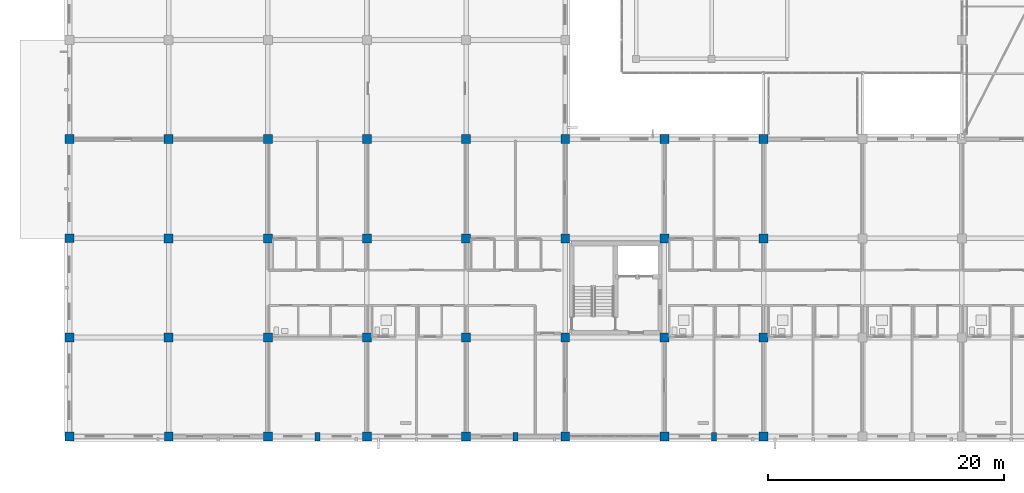
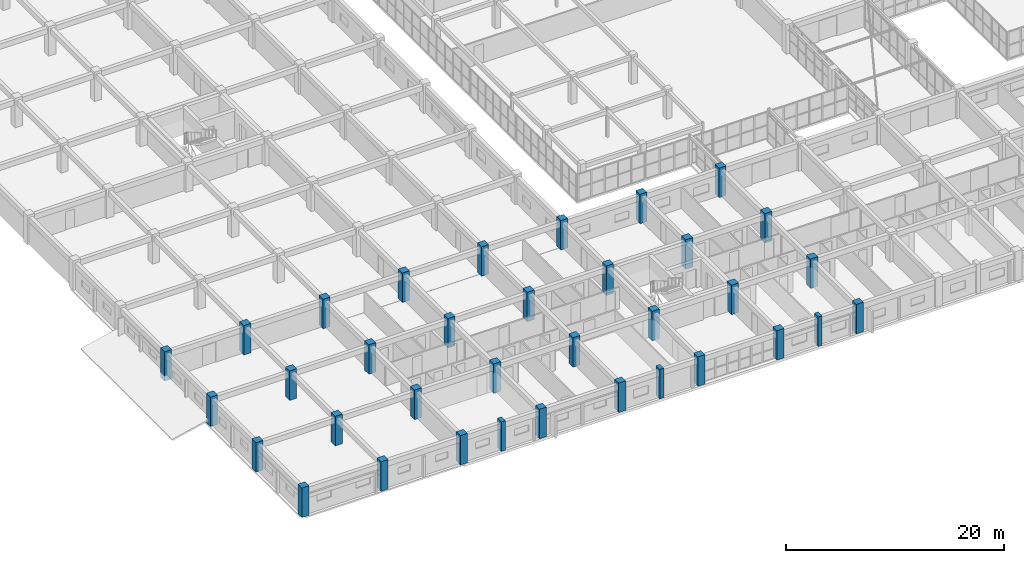
# One storey, part 1 of 200: 35 columns.
"""IFC4 building model written with IfcOpenShell, lengths in metres."""

from ifc_helpers import new_model, si_unit, direction, frame, origin, origin_2d, place, context, subcontext, project, spatial, rectangle, extrude, material, material_profile, profile_set, type_object, element, save


model = new_model("IFC4")

# Units and contexts
model_context = context("Model", 3, precision=1e-05, world=origin(), true_north=direction((0.0, 1.0)))
body_context = subcontext(model_context, "Body", "Model", "MODEL_VIEW")
ifc_project = project(units=[si_unit("LENGTHUNIT", "METRE"), si_unit("AREAUNIT", "SQUARE_METRE"), si_unit("VOLUMEUNIT", "CUBIC_METRE"), si_unit("PLANEANGLEUNIT", "RADIAN"), si_unit("MASSUNIT", "GRAM", prefix="KILO")], contexts=[model_context])

# Site, building, storey
site_placement = place(None, origin())
site = spatial("IfcSite", under=ifc_project, at=site_placement, CompositionType="ELEMENT")
building_placement = place(site_placement, origin())
building = spatial("IfcBuilding", under=site, at=building_placement, Name="Trelvath General Hospital", CompositionType="ELEMENT")
storey_placement = place(building_placement, frame((0.0, 0.0, 4.800048828125)))
storey = spatial("IfcBuildingStorey", under=building, at=storey_placement, Name="L01", CompositionType="ELEMENT", Elevation=4.800048828125)

# Columns
ifc_material_1 = material(Name="Concrete C40/50", Category="concrete")
ifc_material_profile_1 = material_profile(ifc_material_1, rectangle(XDim=0.75, YDim=0.75, at=origin_2d()), Name="RC750x750")
ifc_profile_set_1 = profile_set([ifc_material_profile_1], Name="Concrete C40/50")
column_type_1 = type_object("IfcColumnType", Name="Column RC750", PredefinedType="COLUMN", material=ifc_profile_set_1)
for number, where, z_axis, x_axis, name in (
    (1, (0.0, 0.0, 0.0), (0.0, 0.0, 1.0), (1.0, 0.0, 0.0), "Column C-1A L01"),
    (2, (0.0, 8.39990234375, 0.0), (0.0, 0.0, 1.0), (1.0, 0.0, 0.0), "Column C-1B L01"),
    (3, (0.0, 16.800048828125, 0.0), (0.0, 0.0, 1.0), (1.0, 0.0, 0.0), "Column C-1C L01"),
    (4, (0.0, 25.199951171875, 0.0), (0.0, 0.0, 1.0), (1.0, 0.0, 0.0), "Column C-1D L01"),
    (5, (8.39990234375, 0.0, 0.0), (0.0, 0.0, 1.0), (1.0, 0.0, 0.0), "Column C-2A L01"),
    (6, (16.800048828125, 0.0, 0.0), (0.0, 0.0, 1.0), (1.0, 0.0, 0.0), "Column C-3A L01"),
    (7, (25.199951171875, 0.0, 0.0), (0.0, 0.0, 1.0), (1.0, 0.0, 0.0), "Column C-4A L01"),
    (8, (33.60009765625, 0.0, 0.0), (0.0, 0.0, 1.0), (1.0, 0.0, 0.0), "Column C-5A L01"),
    (9, (42.0, 0.0, 0.0), (0.0, 0.0, 1.0), (1.0, 0.0, 0.0), "Column C-6A L01"),
    (10, (42.0, 25.199951171875, 0.0), (0.0, 0.0, 1.0), (1.0, 0.0, 0.0), "Column C-6D L01"),
    (11, (50.39990234375, 0.0, 0.0), (0.0, 0.0, 1.0), (1.0, 0.0, 0.0), "Column C-7A L01"),
    (12, (50.39990234375, 25.199951171875, 0.0), (0.0, 0.0, 1.0), (1.0, 0.0, 0.0), "Column C-7D L01"),
    (13, (58.800048828125, 0.0, 0.0), (0.0, 0.0, 1.0), (1.0, 0.0, 0.0), "Column C-8A L01"),
    (14, (58.800048828125, 25.199951171875, 0.0), (0.0, 0.0, 1.0), (1.0, 0.0, 0.0), "Column C-8D L01"),
):
    element("IfcColumn", number, at=place(storey_placement, frame(where, z_axis=z_axis, x_axis=x_axis)), inside=storey, type_object=column_type_1, Name=name, PredefinedType="COLUMN", context=body_context, shape_type="SweptSolid", body=[
        extrude(rectangle(XDim=0.75, YDim=0.75, at=origin_2d()), origin(), (0.0, 0.0, 1.0), 3.300048828125),
    ])
ifc_material_2 = material(Name="Concrete C40/50", Category="concrete")
ifc_material_profile_2 = material_profile(ifc_material_2, rectangle(XDim=0.760009765625, YDim=0.760009765625, at=origin_2d()), Name="RC760x760")
ifc_profile_set_2 = profile_set([ifc_material_profile_2], Name="Concrete C40/50")
column_type_2 = type_object("IfcColumnType", Name="Column RC760", PredefinedType="COLUMN", material=ifc_profile_set_2)
for number, where, z_axis, x_axis, name in (
    (15, (8.39990234375, 8.39990234375, 0.0), (0.0, 0.0, 1.0), (1.0, 0.0, 0.0), "Column C-2B L01"),
    (16, (8.39990234375, 16.800048828125, 0.0), (0.0, 0.0, 1.0), (1.0, 0.0, 0.0), "Column C-2C L01"),
    (17, (8.39990234375, 25.199951171875, 0.0), (0.0, 0.0, 1.0), (1.0, 0.0, 0.0), "Column C-2D L01"),
    (18, (16.800048828125, 8.39990234375, 0.0), (0.0, 0.0, 1.0), (1.0, 0.0, 0.0), "Column C-3B L01"),
    (19, (16.800048828125, 16.800048828125, 0.0), (0.0, 0.0, 1.0), (1.0, 0.0, 0.0), "Column C-3C L01"),
    (20, (16.800048828125, 25.199951171875, 0.0), (0.0, 0.0, 1.0), (1.0, 0.0, 0.0), "Column C-3D L01"),
    (21, (25.199951171875, 8.39990234375, 0.0), (0.0, 0.0, 1.0), (1.0, 0.0, 0.0), "Column C-4B L01"),
    (22, (25.199951171875, 16.800048828125, 0.0), (0.0, 0.0, 1.0), (1.0, 0.0, 0.0), "Column C-4C L01"),
    (23, (25.199951171875, 25.199951171875, 0.0), (0.0, 0.0, 1.0), (1.0, 0.0, 0.0), "Column C-4D L01"),
    (24, (33.60009765625, 8.39990234375, 0.0), (0.0, 0.0, 1.0), (1.0, 0.0, 0.0), "Column C-5B L01"),
    (25, (33.60009765625, 16.800048828125, 0.0), (0.0, 0.0, 1.0), (1.0, 0.0, 0.0), "Column C-5C L01"),
    (26, (33.60009765625, 25.199951171875, 0.0), (0.0, 0.0, 1.0), (1.0, 0.0, 0.0), "Column C-5D L01"),
    (27, (42.0, 8.39990234375, 0.0), (0.0, 0.0, 1.0), (1.0, 0.0, 0.0), "Column C-6B L01"),
    (28, (42.0, 16.800048828125, 0.0), (0.0, 0.0, 1.0), (1.0, 0.0, 0.0), "Column C-6C L01"),
    (29, (50.39990234375, 8.39990234375, 0.0), (0.0, 0.0, 1.0), (1.0, 0.0, 0.0), "Column C-7B L01"),
    (30, (50.39990234375, 16.800048828125, 0.0), (0.0, 0.0, 1.0), (1.0, 0.0, 0.0), "Column C-7C L01"),
    (31, (58.800048828125, 8.39990234375, 0.0), (0.0, 0.0, 1.0), (1.0, 0.0, 0.0), "Column C-8B L01"),
    (32, (58.800048828125, 16.800048828125, 0.0), (0.0, 0.0, 1.0), (1.0, 0.0, 0.0), "Column C-8C L01"),
):
    element("IfcColumn", number, at=place(storey_placement, frame(where, z_axis=z_axis, x_axis=x_axis)), inside=storey, type_object=column_type_2, Name=name, PredefinedType="COLUMN", context=body_context, shape_type="SweptSolid", body=[
        extrude(rectangle(XDim=0.760009765625, YDim=0.760009765625, at=origin_2d()), origin(), (0.0, 0.0, 1.0), 3.300048828125),
    ])
ifc_material_3 = material(Name="Concrete C40/50", Category="concrete")
ifc_material_profile_3 = material_profile(ifc_material_3, rectangle(XDim=0.419921875, YDim=0.719970703125, at=origin_2d()), Name="RC420x720")
ifc_profile_set_3 = profile_set([ifc_material_profile_3], Name="Concrete C40/50")
column_type_3 = type_object("IfcColumnType", Name="Pilaster RC420x720", PredefinedType="PILASTER", material=ifc_profile_set_3)
for number, where, z_axis, x_axis, name in (
    (33, (21.0, 0.0, 0.0), (0.0, 0.0, 1.0), (1.0, 0.0, 0.0), "Facade Pilaster PL-S02 L01"),
    (34, (37.800048828125, 0.0, 0.0), (0.0, 0.0, 1.0), (1.0, 0.0, 0.0), "Facade Pilaster PL-S04 L01"),
    (35, (54.60009765625, 0.0, 0.0), (0.0, 0.0, 1.0), (1.0, 0.0, 0.0), "Facade Pilaster PL-S06 L01"),
):
    element("IfcColumn", number, at=place(storey_placement, frame(where, z_axis=z_axis, x_axis=x_axis)), inside=storey, type_object=column_type_3, Name=name, PredefinedType="PILASTER", context=body_context, shape_type="SweptSolid", body=[
        extrude(rectangle(XDim=0.419921875, YDim=0.719970703125, at=origin_2d()), origin(), (0.0, 0.0, 1.0), 3.300048828125),
    ])

save(model, "model.ifc")
